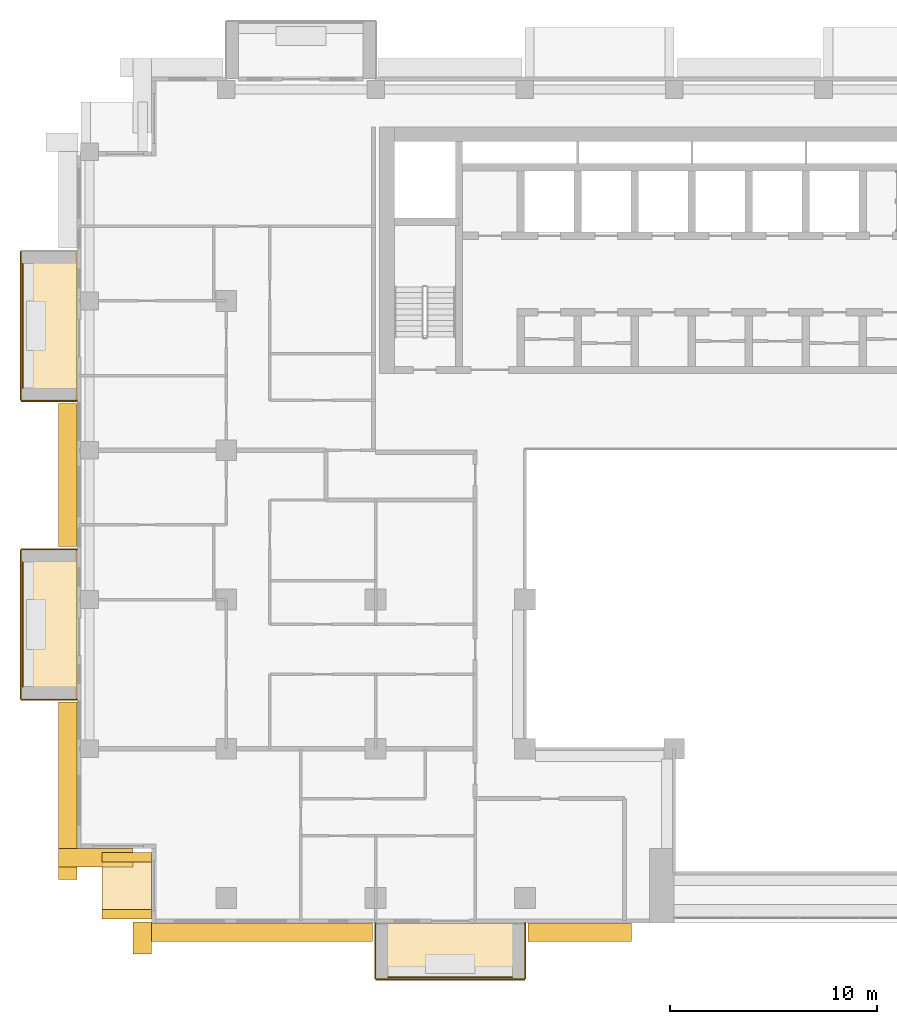
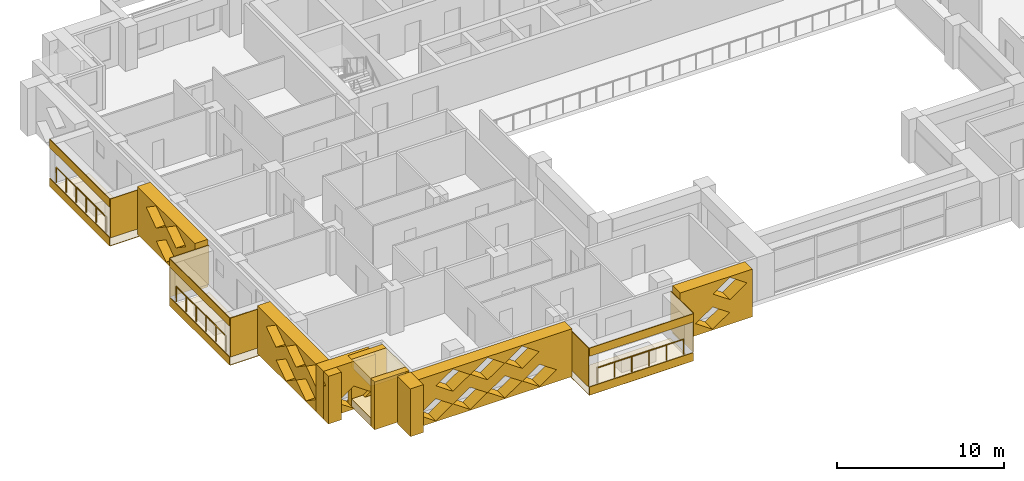
# One storey, part 14 of 20: 24 coverings, 3 railings.
"""IFC4 building model written with IfcOpenShell, lengths in metres."""

import ifcopenshell
import ifcopenshell.guid

model = None  # the IFC model being written
_history = None  # IfcOwnerHistory: only IFC2X3 demands one
_inside = {}  # id of a spatial element -> (the spatial element, [elements in it])
_under = {}  # id of a project, library or spatial element -> (it, [spatial elements below it])
_declared = {}  # id of a project -> (the project, [libraries it declares])
_typed = {}  # id of a type object -> (the type object, [elements of that type])
_made_of = {}  # id of a material, layer set ... -> (it, [elements and type objects made of it])


def new_model(schema):
    """Start an empty IFC model of exactly this schema.

    Asked for "IFC4X3", IfcOpenShell would pick the latest addendum, in which some entities
    have other attributes; the version numbers below select the first issue.
    IFC2X3 requires an IfcOwnerHistory on every rooted entity: one is made here for all.
    """
    global model, _history
    if schema == "IFC4X3":
        model = ifcopenshell.file(schema_version=(4, 3, 0, 0))
    else:
        model = ifcopenshell.file(schema=schema)
    _inside.clear()
    _under.clear()
    _declared.clear()
    _typed.clear()
    _made_of.clear()
    _history = None
    if model.schema == "IFC2X3":
        org = make("IfcOrganization", Name="unknown")
        user = make(
            "IfcPersonAndOrganization",
            ThePerson=make("IfcPerson", FamilyName="unknown"),
            TheOrganization=org,
        )
        app = make(
            "IfcApplication",
            ApplicationDeveloper=org,
            Version="unknown",
            ApplicationFullName="unknown",
            ApplicationIdentifier="unknown",
        )
        _history = make(
            "IfcOwnerHistory",
            OwningUser=user,
            OwningApplication=app,
            ChangeAction="ADDED",
            CreationDate=0,
        )
    return model


def make(cls, **values):
    """One entity of the class cls with the attributes given. An attribute that is None is left unset."""
    return model.create_entity(
        cls, **{name: value for name, value in values.items() if value is not None}
    )


def rooted(cls, **values):
    """An entity with a GlobalId (a new one), such as an element, a storey or a relation."""
    return make(cls, GlobalId=ifcopenshell.guid.new(), OwnerHistory=_history, **values)


def si_unit(unit_type, name, prefix=None):
    """IfcSIUnit, for example si_unit("LENGTHUNIT", "METRE", prefix="MILLI")."""
    return make("IfcSIUnit", UnitType=unit_type, Prefix=prefix, Name=name)


def assignment(units):
    """IfcUnitAssignment: the units of a project."""
    return None if units is None else make("IfcUnitAssignment", Units=units)


def point(xyz):
    """IfcCartesianPoint."""
    return None if xyz is None else make("IfcCartesianPoint", Coordinates=xyz)


def direction(xyz):
    """IfcDirection."""
    return None if xyz is None else make("IfcDirection", DirectionRatios=xyz)


def frame(location, z_axis=None, x_axis=None):
    """IfcAxis2Placement3D, a coordinate frame: its origin and axes. An axis left out is left unset."""
    return make(
        "IfcAxis2Placement3D",
        Location=point(location),
        Axis=direction(z_axis),
        RefDirection=direction(x_axis),
    )


def frame_2d(location, x_axis=None):
    """IfcAxis2Placement2D, a coordinate frame in the plane: its origin and x axis."""
    return make(
        "IfcAxis2Placement2D", Location=point(location), RefDirection=direction(x_axis)
    )


def origin():
    """The frame at (0, 0, 0) with its axes left unset."""
    return frame((0.0, 0.0, 0.0))


def origin_2d():
    """The frame at (0, 0) in the plane with its x axis left unset."""
    return frame_2d((0.0, 0.0))


def place(relative_to, where):
    """IfcLocalPlacement: puts the frame where relative to a parent placement (None: the world)."""
    return make(
        "IfcLocalPlacement", PlacementRelTo=relative_to, RelativePlacement=where
    )


def context(
    kind, dimensions, precision=None, world=None, true_north=None, identifier=None
):
    """IfcGeometricRepresentationContext, for example the 3D "Model" context."""
    return make(
        "IfcGeometricRepresentationContext",
        ContextIdentifier=identifier,
        ContextType=kind,
        CoordinateSpaceDimension=dimensions,
        Precision=precision,
        WorldCoordinateSystem=world,
        TrueNorth=true_north,
    )


def subcontext(parent, identifier, kind, view, scale=None):
    """IfcGeometricRepresentationSubContext, for example "Body" below "Model"."""
    return make(
        "IfcGeometricRepresentationSubContext",
        ContextIdentifier=identifier,
        ContextType=kind,
        ParentContext=parent,
        TargetScale=scale,
        TargetView=view,
    )


def project(units=None, contexts=None):
    """IfcProject with its units and contexts."""
    return rooted(
        "IfcProject",
        Name="project",
        RepresentationContexts=contexts,
        UnitsInContext=assignment(units),
    )


def spatial(cls, under=None, at=None, **own):
    """A site, building, storey or space (cls), placed at a placement, below another one or the project."""
    s = rooted(cls, ObjectPlacement=at, **own)
    if under is not None:
        _under.setdefault(under.id(), (under, []))[1].append(s)
    return s


def polyline(points):
    """IfcPolyline through the points."""
    return make("IfcPolyline", Points=[point(p) for p in points])


def profile(cls, at=None, kind="AREA", **sizes):
    """A parametric profile (cls). Its sizes go by their IFC names, for example OverallWidth=200.0."""
    return make(cls, ProfileType=kind, Position=at, **sizes)


def circle(**sizes):
    """IfcCircleProfileDef."""
    return profile("IfcCircleProfileDef", **sizes)


def outline(outer, holes=None, kind="AREA"):
    """IfcArbitraryClosedProfileDef: a profile drawn as a closed curve; with holes, ...WithVoids."""
    if holes is None:
        return make("IfcArbitraryClosedProfileDef", ProfileType=kind, OuterCurve=outer)
    return make(
        "IfcArbitraryProfileDefWithVoids",
        ProfileType=kind,
        OuterCurve=outer,
        InnerCurves=holes,
    )


def extrude(swept, where, along, depth):
    """IfcExtrudedAreaSolid: the profile swept, set in the frame where, extruded along a direction by depth."""
    return make(
        "IfcExtrudedAreaSolid",
        SweptArea=swept,
        Position=where,
        ExtrudedDirection=direction(along),
        Depth=depth,
    )


def shape(context_of_items, identifier, shape_type, items):
    """IfcShapeRepresentation: the items that make up one representation, for example the "Body"."""
    return make(
        "IfcShapeRepresentation",
        ContextOfItems=context_of_items,
        RepresentationIdentifier=identifier,
        RepresentationType=shape_type,
        Items=items,
    )


def material(Name=None, Category=None):
    """IfcMaterial."""
    return make("IfcMaterial", Name=Name, Category=Category)


def layer(
    of_material, thickness, ventilated=None, Name=None, Category=None, Priority=None
):
    """IfcMaterialLayer: one layer of a wall or slab, of a material (None: an air gap)."""
    return make(
        "IfcMaterialLayer",
        Material=of_material,
        LayerThickness=thickness,
        IsVentilated=ventilated,
        Name=Name,
        Category=Category,
        Priority=Priority,
    )


def layer_set(layers, Name=None):
    """IfcMaterialLayerSet."""
    return make("IfcMaterialLayerSet", MaterialLayers=layers, LayerSetName=Name)


def made_of(thing, what):
    """Note that an element or type object is made of a material, layer set ...; save() writes the relation."""
    if what is not None:
        _made_of.setdefault(what.id(), (what, []))[1].append(thing)
    return thing


def type_object(cls, material=None, **own):
    """A type object (cls), such as IfcWallType, which elements share."""
    return made_of(rooted(cls, **own), material)


def element(
    cls,
    number,
    at=None,
    inside=None,
    cuts=None,
    type_object=None,
    material=None,
    context=None,
    identifier="Body",
    shape_type=None,
    held_by="IfcProductDefinitionShape",
    body=None,
    shapes=None,
    **own,
):
    """One element of the class cls, such as IfcWall. Its Tag is "e" and its number.

    at: its placement. inside: the storey or other place that contains it. cuts: it is an
    opening in that element (IfcRelVoidsElement). A single representation is given by context,
    identifier, shape_type and body (its items); several are given by shapes. held_by: the class
    of the entity that holds the representations. save() writes the other relations.
    """
    e = rooted(cls, Tag="e%d" % number, ObjectPlacement=at, **own)
    if body is not None:
        shapes = [shape(context, identifier, shape_type, body)]
    if shapes is not None:
        e.Representation = make(held_by, Representations=shapes)
    if inside is not None:
        _inside.setdefault(inside.id(), (inside, []))[1].append(e)
    if cuts is not None:
        rooted(
            "IfcRelVoidsElement", RelatingBuildingElement=cuts, RelatedOpeningElement=e
        )
    if type_object is not None:
        _typed.setdefault(type_object.id(), (type_object, []))[1].append(e)
    return made_of(e, material)


def aggregate(whole, parts):
    """IfcRelAggregates: a whole, such as a stair, and the parts it consists of."""
    return rooted("IfcRelAggregates", RelatingObject=whole, RelatedObjects=parts)


def save(model, path):
    """Write the relations noted so far, then the file.

    IfcRelAggregates (storeys below a building ...), IfcRelContainedInSpatialStructure (elements
    in a storey), IfcRelDefinesByType, IfcRelAssociatesMaterial and IfcRelDeclares: one each for
    every whole, place, type object, material and project.
    """
    for whole, parts in _under.values():
        aggregate(whole, parts)
    for where, things in _inside.values():
        rooted(
            "IfcRelContainedInSpatialStructure",
            RelatedElements=things,
            RelatingStructure=where,
        )
    for kind, things in _typed.values():
        rooted("IfcRelDefinesByType", RelatedObjects=things, RelatingType=kind)
    for what, things in _made_of.values():
        rooted("IfcRelAssociatesMaterial", RelatedObjects=things, RelatingMaterial=what)
    for by, libraries in _declared.values():
        rooted("IfcRelDeclares", RelatingContext=by, RelatedDefinitions=libraries)
    model.write(path)


model = new_model("IFC4")

# Units and contexts
model_context = context("Model", 3, precision=1e-05, world=origin(), true_north=direction((0.0, 1.0)))
body_context = subcontext(model_context, "Body", "Model", "MODEL_VIEW")
ifc_project = project(units=[si_unit("LENGTHUNIT", "METRE"), si_unit("AREAUNIT", "SQUARE_METRE"), si_unit("VOLUMEUNIT", "CUBIC_METRE"), si_unit("PLANEANGLEUNIT", "RADIAN"), si_unit("MASSUNIT", "GRAM", prefix="KILO")], contexts=[model_context])

# Site, building, storey
site_placement = place(None, origin())
site = spatial("IfcSite", under=ifc_project, at=site_placement, CompositionType="ELEMENT")
building_placement = place(site_placement, origin())
building = spatial("IfcBuilding", under=site, at=building_placement, Name="Saffron Iwan Residences", CompositionType="ELEMENT")
storey_placement = place(building_placement, frame((0.0, 0.0, 150.0)))
storey = spatial("IfcBuildingStorey", under=building, at=storey_placement, Name="L39", CompositionType="ELEMENT", Elevation=150.0)

# Railings
ifc_material_1 = material(Name="Stainless steel 316", Category="steel")
railing_type = type_object("IfcRailingType", Name="BALCONY GUARD 1150", PredefinedType="GUARDRAIL", material=ifc_material_1)
for number, where, name in (
    (1, (11.77490234375, 71.39990234375, 0.0), "Balcony guard L39 F8-0"),
    (2, (11.77490234375, 57.0, 0.0), "Balcony guard L39 F8-1"),
):
    element("IfcRailing", number, at=place(storey_placement, frame(where)), inside=storey, type_object=railing_type, Name=name, PredefinedType="GUARDRAIL", context=body_context, shape_type="SweptSolid", body=[
        extrude(circle(Radius=0.02392578125, at=origin_2d()), frame((0.0, 0.0, 1.1259765625), z_axis=(0.0, -1.0, 0.0), x_axis=(1.0, 0.0, 0.0)), (0.0, 0.0, 1.0), 6.0),
        extrude(circle(Radius=0.02099609375, at=origin_2d()), origin(), (0.0, 0.0, 1.0), 1.101806640625),
        extrude(circle(Radius=0.02099609375, at=origin_2d()), frame((0.0, -1.199951171875, 0.0)), (0.0, 0.0, 1.0), 1.101806640625),
        extrude(circle(Radius=0.02099609375, at=origin_2d()), frame((0.0, -2.39990234375, 0.0)), (0.0, 0.0, 1.0), 1.101806640625),
        extrude(circle(Radius=0.02099609375, at=origin_2d()), frame((0.0, -3.60009765625, 0.0)), (0.0, 0.0, 1.0), 1.101806640625),
        extrude(circle(Radius=0.02099609375, at=origin_2d()), frame((0.0, -4.800048828125, 0.0)), (0.0, 0.0, 1.0), 1.101806640625),
        extrude(circle(Radius=0.02099609375, at=origin_2d()), frame((0.0, -6.0, 0.0)), (0.0, 0.0, 1.0), 1.101806640625),
    ])
railing_placement = place(storey_placement, frame((29.39990234375, 36.97509765625, 0.0)))
element("IfcRailing", 3, at=railing_placement, inside=storey, type_object=railing_type, Name="Balcony guard L39 11-0", PredefinedType="GUARDRAIL", context=body_context, shape_type="SweptSolid", body=[
    extrude(circle(Radius=0.02392578125, at=origin_2d()), frame((0.0, 0.0, 1.1259765625), z_axis=(1.0, 0.0, 0.0), x_axis=(0.0, 1.0, 0.0)), (0.0, 0.0, 1.0), 6.0),
    extrude(circle(Radius=0.02099609375, at=origin_2d()), origin(), (0.0, 0.0, 1.0), 1.101806640625),
    extrude(circle(Radius=0.02099609375, at=origin_2d()), frame((1.199951171875, 0.0, 0.0)), (0.0, 0.0, 1.0), 1.101806640625),
    extrude(circle(Radius=0.02099609375, at=origin_2d()), frame((2.39990234375, 0.0, 0.0)), (0.0, 0.0, 1.0), 1.101806640625),
    extrude(circle(Radius=0.02099609375, at=origin_2d()), frame((3.60009765625, 0.0, 0.0)), (0.0, 0.0, 1.0), 1.101806640625),
    extrude(circle(Radius=0.02099609375, at=origin_2d()), frame((4.800048828125, 0.0, 0.0)), (0.0, 0.0, 1.0), 1.101806640625),
    extrude(circle(Radius=0.02099609375, at=origin_2d()), frame((6.0, 0.0, 0.0)), (0.0, 0.0, 1.0), 1.101806640625),
])

# Coverings
ifc_material_2 = material(Name="Precast concrete C40/50 white painted", Category="concrete")
ifc_layer = layer(ifc_material_2, 0.050048828125)
ifc_layer_set = layer_set([ifc_layer], Name="Precast concrete C40/50 white painted")
covering_type_1 = type_object("IfcCoveringType", Name="FRAME SKIN PRECAST WHITE 50", PredefinedType="CLADDING", material=ifc_layer_set)
for number, where, name in (
    (4, (0.0, 0.0, -0.60009765625), "Frame skin slab edge L39 F8-0"),
    (5, (0.0, 0.0, 2.25), "Frame skin fascia L39 F8-0"),
):
    element("IfcCovering", number, at=place(storey_placement, frame(where)), inside=storey, type_object=covering_type_1, Name=name, PredefinedType="CLADDING", context=body_context, shape_type="SweptSolid", body=[
        extrude(outline(polyline([(11.64990234375, 72.0), (11.64990234375, 64.800048828125), (11.699951171875, 64.800048828125), (11.699951171875, 72.0), (11.64990234375, 72.0)])), origin(), (0.0, 0.0, 1.0), 0.60009765625),
    ])
covering_1_placement = place(storey_placement, frame((0.0, 0.0, -0.64990234375)))
element("IfcCovering", 6, at=covering_1_placement, inside=storey, type_object=covering_type_1, Name="Frame skin soffit L39 F8-0", PredefinedType="CLADDING", context=body_context, shape_type="SweptSolid", body=[
    extrude(outline(polyline([(11.699951171875, 72.0), (11.699951171875, 64.800048828125), (14.39990234375, 64.800048828125), (14.39990234375, 72.0), (11.699951171875, 72.0)])), origin(), (0.0, 0.0, 1.0), 0.0498046875),
])
covering_2_placement = place(storey_placement, origin())
element("IfcCovering", 7, at=covering_2_placement, inside=storey, type_object=covering_type_1, Name="Frame skin fin L39 F8-0b", PredefinedType="CLADDING", context=body_context, shape_type="SweptSolid", body=[
    extrude(outline(polyline([(11.699951171875, 64.800048828125), (11.699951171875, 64.75), (14.39990234375, 64.75), (14.39990234375, 64.800048828125), (11.699951171875, 64.800048828125)])), origin(), (0.0, 0.0, 1.0), 2.85009765625),
])
for number, where, name in (
    (8, (0.0, 0.0, -0.60009765625), "Frame skin slab edge L39 F8-1"),
    (9, (0.0, 0.0, 2.25), "Frame skin fascia L39 F8-1"),
):
    element("IfcCovering", number, at=place(storey_placement, frame(where)), inside=storey, type_object=covering_type_1, Name=name, PredefinedType="CLADDING", context=body_context, shape_type="SweptSolid", body=[
        extrude(outline(polyline([(11.64990234375, 57.60009765625), (11.64990234375, 50.39990234375), (11.699951171875, 50.39990234375), (11.699951171875, 57.60009765625), (11.64990234375, 57.60009765625)])), origin(), (0.0, 0.0, 1.0), 0.60009765625),
    ])
covering_3_placement = place(storey_placement, frame((0.0, 0.0, -0.64990234375)))
element("IfcCovering", 10, at=covering_3_placement, inside=storey, type_object=covering_type_1, Name="Frame skin soffit L39 F8-1", PredefinedType="CLADDING", context=body_context, shape_type="SweptSolid", body=[
    extrude(outline(polyline([(11.699951171875, 57.60009765625), (11.699951171875, 50.39990234375), (14.39990234375, 50.39990234375), (14.39990234375, 57.60009765625), (11.699951171875, 57.60009765625)])), origin(), (0.0, 0.0, 1.0), 0.0498046875),
])
covering_4_placement = place(storey_placement, origin())
element("IfcCovering", 11, at=covering_4_placement, inside=storey, type_object=covering_type_1, Name="Frame skin fin L39 F8-1a", PredefinedType="CLADDING", context=body_context, shape_type="SweptSolid", body=[
    extrude(outline(polyline([(11.699951171875, 57.64990234375), (11.699951171875, 57.60009765625), (14.39990234375, 57.60009765625), (14.39990234375, 57.64990234375), (11.699951171875, 57.64990234375)])), origin(), (0.0, 0.0, 1.0), 2.85009765625),
])
covering_5_placement = place(storey_placement, origin())
element("IfcCovering", 12, at=covering_5_placement, inside=storey, type_object=covering_type_1, Name="Frame skin fin L39 F8-1b", PredefinedType="CLADDING", context=body_context, shape_type="SweptSolid", body=[
    extrude(outline(polyline([(11.699951171875, 50.39990234375), (11.699951171875, 50.35009765625), (14.39990234375, 50.35009765625), (14.39990234375, 50.39990234375), (11.699951171875, 50.39990234375)])), origin(), (0.0, 0.0, 1.0), 2.85009765625),
])
for number, where, name in (
    (13, (0.0, 0.0, -0.60009765625), "Frame skin slab edge L39 11-0"),
    (14, (0.0, 0.0, 2.25), "Frame skin fascia L39 11-0"),
):
    element("IfcCovering", number, at=place(storey_placement, frame(where)), inside=storey, type_object=covering_type_1, Name=name, PredefinedType="CLADDING", context=body_context, shape_type="SweptSolid", body=[
        extrude(outline(polyline([(28.800048828125, 36.85009765625), (36.0, 36.85009765625), (36.0, 36.89990234375), (28.800048828125, 36.89990234375), (28.800048828125, 36.85009765625)])), origin(), (0.0, 0.0, 1.0), 0.60009765625),
    ])
covering_6_placement = place(storey_placement, frame((0.0, 0.0, -0.64990234375)))
element("IfcCovering", 15, at=covering_6_placement, inside=storey, type_object=covering_type_1, Name="Frame skin soffit L39 11-0", PredefinedType="CLADDING", context=body_context, shape_type="SweptSolid", body=[
    extrude(outline(polyline([(28.800048828125, 36.89990234375), (36.0, 36.89990234375), (36.0, 39.60009765625), (28.800048828125, 39.60009765625), (28.800048828125, 36.89990234375)])), origin(), (0.0, 0.0, 1.0), 0.0498046875),
])
covering_7_placement = place(storey_placement, origin())
element("IfcCovering", 16, at=covering_7_placement, inside=storey, type_object=covering_type_1, Name="Frame skin fin L39 11-0a", PredefinedType="CLADDING", context=body_context, shape_type="SweptSolid", body=[
    extrude(outline(polyline([(28.75, 36.89990234375), (28.800048828125, 36.89990234375), (28.800048828125, 39.60009765625), (28.75, 39.60009765625), (28.75, 36.89990234375)])), origin(), (0.0, 0.0, 1.0), 2.85009765625),
])
covering_8_placement = place(storey_placement, origin())
element("IfcCovering", 17, at=covering_8_placement, inside=storey, type_object=covering_type_1, Name="Frame skin fin L39 11-0b", PredefinedType="CLADDING", context=body_context, shape_type="SweptSolid", body=[
    extrude(outline(polyline([(36.0, 36.89990234375), (36.050048828125, 36.89990234375), (36.050048828125, 39.60009765625), (36.0, 39.60009765625), (36.0, 36.89990234375)])), origin(), (0.0, 0.0, 1.0), 2.85009765625),
])
ifc_material_3 = material(Name="Precast concrete C40/50", Category="concrete")
covering_type_2 = type_object("IfcCoveringType", Name="OUTER SKIN LATTICE SCREEN", PredefinedType="CLADDING", material=ifc_material_3)
covering_9_placement = place(storey_placement, frame((14.39990234375, 64.64990234375, -0.300048828125), z_axis=(-1.0, 0.0, 0.0), x_axis=(0.0, -1.0, 0.0)))
element("IfcCovering", 18, at=covering_9_placement, inside=storey, type_object=covering_type_2, Name="OUTER SKIN lattice screen L39 F8.1", PredefinedType="CLADDING", context=body_context, shape_type="SweptSolid", body=[
    extrude(outline(polyline([(0.0, 0.0), (6.89990234375, 0.0), (6.89990234375, 3.5), (0.0, 3.5), (0.0, 0.0)]), holes=[polyline([(2.27001953125, 0.875), (3.449951171875, 0.06005859375), (4.6298828125, 0.875), (3.449951171875, 1.68994140625), (2.27001953125, 0.875)]), polyline([(1.070068359375, 2.625), (2.25, 1.81005859375), (3.429931640625, 2.625), (2.25, 3.43994140625), (1.070068359375, 2.625)]), polyline([(3.469970703125, 2.625), (4.64990234375, 1.81005859375), (5.830078125, 2.625), (4.64990234375, 3.43994140625), (3.469970703125, 2.625)])]), origin(), (0.0, 0.0, 1.0), 0.89990234375),
])
covering_10_placement = place(storey_placement, frame((14.39990234375, 50.25, -0.300048828125), z_axis=(-1.0, 0.0, 0.0), x_axis=(0.0, -1.0, 0.0)))
element("IfcCovering", 19, at=covering_10_placement, inside=storey, type_object=covering_type_2, Name="OUTER SKIN lattice screen L39 F8.2", PredefinedType="CLADDING", context=body_context, shape_type="SweptSolid", body=[
    extrude(outline(polyline([(0.0, 0.0), (8.550048828125, 0.0), (8.550048828125, 3.5), (0.0, 3.5), (0.0, 0.0)]), holes=[polyline([(2.27001953125, 0.875), (3.449951171875, 0.06005859375), (4.6298828125, 0.875), (3.449951171875, 1.68994140625), (2.27001953125, 0.875)]), polyline([(4.669921875, 0.875), (5.85009765625, 0.06005859375), (7.030029296875, 0.875), (5.85009765625, 1.68994140625), (4.669921875, 0.875)]), polyline([(1.070068359375, 2.625), (2.25, 1.81005859375), (3.429931640625, 2.625), (2.25, 3.43994140625), (1.070068359375, 2.625)]), polyline([(3.469970703125, 2.625), (4.64990234375, 1.81005859375), (5.830078125, 2.625), (4.64990234375, 3.43994140625), (3.469970703125, 2.625)]), polyline([(5.8701171875, 2.625), (7.050048828125, 1.81005859375), (8.22998046875, 2.625), (7.050048828125, 3.43994140625), (5.8701171875, 2.625)])]), origin(), (0.0, 0.0, 1.0), 0.89990234375),
])
covering_11_placement = place(storey_placement, frame((13.5, 43.199951171875, -0.300048828125), z_axis=(0.0, -1.0, 0.0), x_axis=(1.0, 0.0, 0.0)))
element("IfcCovering", 20, at=covering_11_placement, inside=storey, type_object=covering_type_2, Name="OUTER SKIN lattice screen L39 F9.0", PredefinedType="CLADDING", context=body_context, shape_type="SweptSolid", body=[
    extrude(outline(polyline([(0.0, 0.0), (3.60009765625, 0.0), (3.60009765625, 3.5), (0.0, 3.5), (0.0, 0.0)]), holes=[polyline([(0.919921875, 0.875), (2.10009765625, 0.06005859375), (3.280029296875, 0.875), (2.10009765625, 1.68994140625), (0.919921875, 0.875)])]), origin(), (0.0, 0.0, 1.0), 0.89990234375),
])
covering_12_placement = place(storey_placement, frame((18.0, 39.64990234375, -0.300048828125), z_axis=(-1.0, 0.0, 0.0), x_axis=(0.0, -1.0, 0.0)))
element("IfcCovering", 21, at=covering_12_placement, inside=storey, type_object=covering_type_2, Name="OUTER SKIN lattice screen L39 F10.0", PredefinedType="CLADDING", context=body_context, shape_type="SweptSolid", body=[
    extrude(outline(polyline([(0.0, 0.0), (1.550048828125, 0.0), (1.550048828125, 3.5), (0.0, 3.5), (0.0, 0.0)])), origin(), (0.0, 0.0, 1.0), 0.89990234375),
])
covering_13_placement = place(storey_placement, frame((17.10009765625, 39.60009765625, -0.300048828125), z_axis=(0.0, -1.0, 0.0), x_axis=(1.0, 0.0, 0.0)))
element("IfcCovering", 22, at=covering_13_placement, inside=storey, type_object=covering_type_2, Name="OUTER SKIN lattice screen L39 F11.0", PredefinedType="CLADDING", context=body_context, shape_type="SweptSolid", body=[
    extrude(outline(polyline([(0.0, 0.0), (11.550048828125, 0.0), (11.550048828125, 3.5), (0.0, 3.5), (0.0, 0.0)]), holes=[polyline([(0.919921875, 0.875), (2.10009765625, 0.06005859375), (3.280029296875, 0.875), (2.10009765625, 1.68994140625), (0.919921875, 0.875)]), polyline([(3.320068359375, 0.875), (4.5, 0.06005859375), (5.679931640625, 0.875), (4.5, 1.68994140625), (3.320068359375, 0.875)]), polyline([(5.719970703125, 0.875), (6.89990234375, 0.06005859375), (8.080078125, 0.875), (6.89990234375, 1.68994140625), (5.719970703125, 0.875)]), polyline([(8.1201171875, 0.875), (9.300048828125, 0.06005859375), (10.47998046875, 0.875), (9.300048828125, 1.68994140625), (8.1201171875, 0.875)]), polyline([(2.1201171875, 2.625), (3.300048828125, 1.81005859375), (4.47998046875, 2.625), (3.300048828125, 3.43994140625), (2.1201171875, 2.625)]), polyline([(4.52001953125, 2.625), (5.699951171875, 1.81005859375), (6.8798828125, 2.625), (5.699951171875, 3.43994140625), (4.52001953125, 2.625)]), polyline([(6.919921875, 2.625), (8.10009765625, 1.81005859375), (9.280029296875, 2.625), (8.10009765625, 3.43994140625), (6.919921875, 2.625)])]), origin(), (0.0, 0.0, 1.0), 0.900146484375),
])
covering_14_placement = place(storey_placement, frame((36.14990234375, 39.60009765625, -0.300048828125), z_axis=(0.0, -1.0, 0.0), x_axis=(1.0, 0.0, 0.0)))
element("IfcCovering", 23, at=covering_14_placement, inside=storey, type_object=covering_type_2, Name="OUTER SKIN lattice screen L39 F11.1", PredefinedType="CLADDING", context=body_context, shape_type="SweptSolid", body=[
    extrude(outline(polyline([(0.0, 0.0), (5.0, 0.0), (5.0, 3.5), (0.0, 3.5), (0.0, 0.0)]), holes=[polyline([(1.070068359375, 0.875), (2.25, 0.06005859375), (3.429931640625, 0.875), (2.25, 1.68994140625), (1.070068359375, 0.875)]), polyline([(2.27001953125, 2.625), (3.449951171875, 1.81005859375), (4.6298828125, 2.625), (3.449951171875, 3.43994140625), (2.27001953125, 2.625)])]), origin(), (0.0, 0.0, 1.0), 0.900146484375),
])
covering_type_3 = type_object("IfcCoveringType", Name="WHITE SUN FRAME PRECAST", PredefinedType="CLADDING", material=ifc_material_2)
for number, where, z_axis, x_axis, name in (
    (24, (18.0, 43.0, -0.300048828125), (-1.0, 0.0, 0.0), (0.0, -1.0, 0.0), "Sun frame L39 F10 0.2a"),
    (25, (18.0, 40.25, -0.300048828125), (-1.0, 0.0, 0.0), (0.0, -1.0, 0.0), "Sun frame L39 F10 0.2b"),
):
    element("IfcCovering", number, at=place(storey_placement, frame(where, z_axis=z_axis, x_axis=x_axis)), inside=storey, type_object=covering_type_3, Name=name, PredefinedType="CLADDING", context=body_context, shape_type="SweptSolid", body=[
        extrude(outline(polyline([(0.0, 0.0), (0.449951171875, 0.0), (0.449951171875, 3.5), (0.0, 3.5), (0.0, 0.0)])), origin(), (0.0, 0.0, 1.0), 2.39990234375),
    ])
for number, where, z_axis, x_axis, name in (
    (26, (18.0, 42.550048828125, 2.60009765625), (-1.0, 0.0, 0.0), (0.0, -1.0, 0.0), "Sun frame L39 F10 0.2h"),
    (27, (18.0, 42.550048828125, -0.300048828125), (-1.0, 0.0, 0.0), (0.0, -1.0, 0.0), "Sun frame L39 F10 0.2s"),
):
    element("IfcCovering", number, at=place(storey_placement, frame(where, z_axis=z_axis, x_axis=x_axis)), inside=storey, type_object=covering_type_3, Name=name, PredefinedType="CLADDING", context=body_context, shape_type="SweptSolid", body=[
        extrude(outline(polyline([(0.0, 0.0), (2.300048828125, 0.0), (2.300048828125, 0.60009765625), (0.0, 0.60009765625), (0.0, 0.0)])), origin(), (0.0, 0.0, 1.0), 2.39990234375),
    ])

save(model, "model.ifc")
